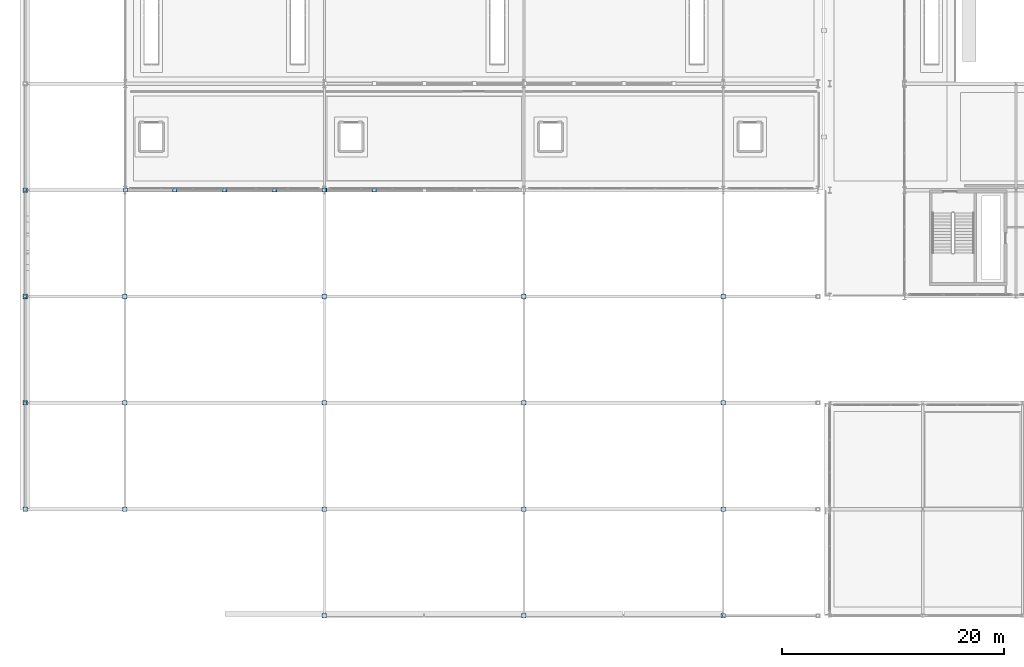
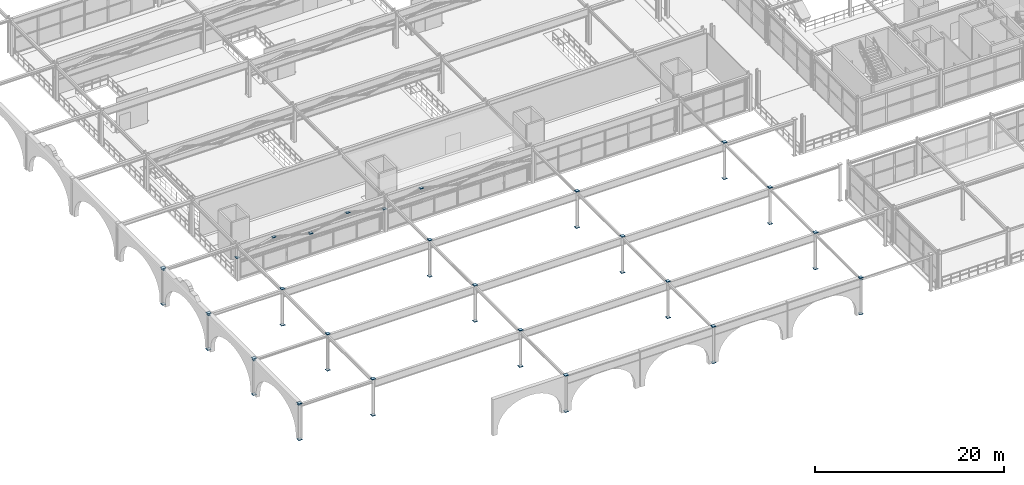
# One storey, part 65 of 125: 57 plates.
"""IFC4 building model written with IfcOpenShell, lengths in metres."""

from ifc_helpers import new_model, si_unit, direction, frame, origin, origin_2d, place, context, subcontext, project, spatial, rectangle, extrude, material, layer, layer_set, type_object, element, save


model = new_model("IFC4")

# Units and contexts
model_context = context("Model", 3, precision=1e-05, world=origin(), true_north=direction((0.0, 1.0)))
body_context = subcontext(model_context, "Body", "Model", "MODEL_VIEW")
ifc_project = project(units=[si_unit("LENGTHUNIT", "METRE"), si_unit("AREAUNIT", "SQUARE_METRE"), si_unit("VOLUMEUNIT", "CUBIC_METRE"), si_unit("PLANEANGLEUNIT", "RADIAN"), si_unit("MASSUNIT", "GRAM", prefix="KILO")], contexts=[model_context])

# Site, building, storey
site_placement = place(None, origin())
site = spatial("IfcSite", under=ifc_project, at=site_placement, CompositionType="ELEMENT")
building_placement = place(site_placement, origin())
building = spatial("IfcBuilding", under=site, at=building_placement, Name="Myrtia Square Station", CompositionType="ELEMENT")
storey_placement = place(building_placement, frame((0.0, 0.0, 6.0)))
storey = spatial("IfcBuildingStorey", under=building, at=storey_placement, Name="L01", CompositionType="ELEMENT", Elevation=6.0)

# Plates
ifc_material = material(Name="Steel S355", Category="steel")
ifc_layer_1 = layer(ifc_material, 0.01611328125, Name="Steel S355")
ifc_layer_set_1 = layer_set([ifc_layer_1], Name="Steel S355")
plate_type_1 = type_object("IfcPlateType", Name="PLT-GUS16", PredefinedType="USERDEFINED", material=ifc_layer_set_1)
for number, where, z_axis, x_axis, name in (
    (1, (63.050048828125, 0.0, 4.39697265625), (0.0, 0.0, 1.0), (1.0, 0.0, 0.0), "Truss node gusset plate SPN-L01-0138-1"),
    (2, (0.0, 9.64990234375, 4.421875), (0.0, 0.0, 1.0), (0.0, 1.0, 0.0), "Truss node gusset plate SPNY-L01-0140-1"),
    (3, (0.0, 19.14990234375, 4.421875), (0.0, 0.0, 1.0), (0.0, 1.0, 0.0), "Truss node gusset plate SPNY-L01-0140-2"),
    (4, (0.0, 19.25, 4.421875), (0.0, 0.0, 1.0), (0.0, 1.0, 0.0), "Truss node gusset plate SPNY-L01-0141-1"),
    (5, (0.0, 28.75, 4.421875), (0.0, 0.0, 1.0), (0.0, 1.0, 0.0), "Truss node gusset plate SPNY-L01-0141-2"),
    (6, (0.0, 28.85009765625, 4.421875), (0.0, 0.0, 1.0), (0.0, 1.0, 0.0), "Truss node gusset plate SPNY-L01-0142-1"),
    (7, (0.0, 38.35009765625, 4.421875), (0.0, 0.0, 1.0), (0.0, 1.0, 0.0), "Truss node gusset plate SPNY-L01-0142-2"),
    (8, (0.0, 38.449951171875, 4.421875), (0.0, 0.0, 1.0), (0.0, 1.0, 0.0), "Truss node gusset plate SPNY-L01-0143-1"),
):
    element("IfcPlate", number, at=place(storey_placement, frame(where, z_axis=z_axis, x_axis=x_axis)), inside=storey, type_object=plate_type_1, Name=name, ObjectType="GUSSET PLATE", PredefinedType="USERDEFINED", context=body_context, shape_type="SweptSolid", body=[
        extrude(rectangle(XDim=0.280029296875, YDim=0.280029296875, at=origin_2d()), origin(), (0.0, 0.0, 1.0), 0.01611328125),
    ])
ifc_layer_2 = layer(ifc_material, 0.02001953125, Name="Steel S355")
ifc_layer_set_2 = layer_set([ifc_layer_2], Name="Steel S355")
plate_type_2 = type_object("IfcPlateType", Name="PLT-GUS20", PredefinedType="USERDEFINED", material=ifc_layer_set_2)
for number, where, z_axis, x_axis, name in (
    (9, (0.0, 9.60009765625, -0.010009765625), (0.0, 0.0, 1.0), (1.0, 0.0, 0.0), "Truss node gusset plate COL-L01-0003-1"),
    (10, (0.0, 9.60009765625, 4.669921875), (0.0, 0.0, 1.0), (1.0, 0.0, 0.0), "Truss node gusset plate COL-L01-0003-2"),
    (11, (0.0, 19.199951171875, -0.010009765625), (0.0, 0.0, 1.0), (1.0, 0.0, 0.0), "Truss node gusset plate COL-L01-0006-1"),
    (12, (0.0, 19.199951171875, 4.669921875), (0.0, 0.0, 1.0), (1.0, 0.0, 0.0), "Truss node gusset plate COL-L01-0006-2"),
    (13, (0.0, 28.800048828125, -0.010009765625), (0.0, 0.0, 1.0), (1.0, 0.0, 0.0), "Truss node gusset plate COL-L01-0009-1"),
    (14, (0.0, 28.800048828125, 4.669921875), (0.0, 0.0, 1.0), (1.0, 0.0, 0.0), "Truss node gusset plate COL-L01-0009-2"),
    (15, (0.0, 38.39990234375, -0.010009765625), (0.0, 0.0, 1.0), (1.0, 0.0, 0.0), "Truss node gusset plate COL-L01-0012-1"),
    (16, (0.0, 38.39990234375, 4.669921875), (0.0, 0.0, 1.0), (1.0, 0.0, 0.0), "Truss node gusset plate COL-L01-0012-2"),
    (17, (9.0, 9.60009765625, -0.010009765625), (0.0, 0.0, 1.0), (1.0, 0.0, 0.0), "Truss node gusset plate COL-L01-0039-1"),
    (18, (9.0, 9.60009765625, 4.669921875), (0.0, 0.0, 1.0), (1.0, 0.0, 0.0), "Truss node gusset plate COL-L01-0039-2"),
    (19, (9.0, 19.199951171875, -0.010009765625), (0.0, 0.0, 1.0), (1.0, 0.0, 0.0), "Truss node gusset plate COL-L01-0042-1"),
    (20, (9.0, 19.199951171875, 4.669921875), (0.0, 0.0, 1.0), (1.0, 0.0, 0.0), "Truss node gusset plate COL-L01-0042-2"),
    (21, (9.0, 28.800048828125, -0.010009765625), (0.0, 0.0, 1.0), (1.0, 0.0, 0.0), "Truss node gusset plate COL-L01-0045-1"),
    (22, (9.0, 28.800048828125, 4.669921875), (0.0, 0.0, 1.0), (1.0, 0.0, 0.0), "Truss node gusset plate COL-L01-0045-2"),
    (23, (27.0, 0.0, -0.010009765625), (0.0, 0.0, 1.0), (1.0, 0.0, 0.0), "Truss node gusset plate COL-L01-0075-1"),
    (24, (27.0, 0.0, 4.669921875), (0.0, 0.0, 1.0), (1.0, 0.0, 0.0), "Truss node gusset plate COL-L01-0075-2"),
    (25, (27.0, 9.60009765625, -0.010009765625), (0.0, 0.0, 1.0), (1.0, 0.0, 0.0), "Truss node gusset plate COL-L01-0078-1"),
    (26, (27.0, 9.60009765625, 4.669921875), (0.0, 0.0, 1.0), (1.0, 0.0, 0.0), "Truss node gusset plate COL-L01-0078-2"),
    (27, (27.0, 19.199951171875, -0.010009765625), (0.0, 0.0, 1.0), (1.0, 0.0, 0.0), "Truss node gusset plate COL-L01-0081-1"),
    (28, (27.0, 19.199951171875, 4.669921875), (0.0, 0.0, 1.0), (1.0, 0.0, 0.0), "Truss node gusset plate COL-L01-0081-2"),
    (29, (27.0, 28.800048828125, -0.010009765625), (0.0, 0.0, 1.0), (1.0, 0.0, 0.0), "Truss node gusset plate COL-L01-0084-1"),
    (30, (27.0, 28.800048828125, 4.669921875), (0.0, 0.0, 1.0), (1.0, 0.0, 0.0), "Truss node gusset plate COL-L01-0084-2"),
    (31, (45.0, 0.0, -0.010009765625), (0.0, 0.0, 1.0), (1.0, 0.0, 0.0), "Truss node gusset plate COL-L01-0117-1"),
    (32, (45.0, 0.0, 4.669921875), (0.0, 0.0, 1.0), (1.0, 0.0, 0.0), "Truss node gusset plate COL-L01-0117-2"),
    (33, (45.0, 9.60009765625, -0.010009765625), (0.0, 0.0, 1.0), (1.0, 0.0, 0.0), "Truss node gusset plate COL-L01-0120-1"),
    (34, (45.0, 9.60009765625, 4.669921875), (0.0, 0.0, 1.0), (1.0, 0.0, 0.0), "Truss node gusset plate COL-L01-0120-2"),
    (35, (45.0, 19.199951171875, -0.010009765625), (0.0, 0.0, 1.0), (1.0, 0.0, 0.0), "Truss node gusset plate COL-L01-0123-1"),
    (36, (45.0, 19.199951171875, 4.669921875), (0.0, 0.0, 1.0), (1.0, 0.0, 0.0), "Truss node gusset plate COL-L01-0123-2"),
    (37, (45.0, 28.800048828125, -0.010009765625), (0.0, 0.0, 1.0), (1.0, 0.0, 0.0), "Truss node gusset plate COL-L01-0126-1"),
    (38, (45.0, 28.800048828125, 4.669921875), (0.0, 0.0, 1.0), (1.0, 0.0, 0.0), "Truss node gusset plate COL-L01-0126-2"),
    (39, (63.0, 0.0, -0.010009765625), (0.0, 0.0, 1.0), (1.0, 0.0, 0.0), "Truss node gusset plate COL-L01-0159-1"),
    (40, (63.0, 0.0, 4.669921875), (0.0, 0.0, 1.0), (1.0, 0.0, 0.0), "Truss node gusset plate COL-L01-0159-2"),
    (41, (63.0, 9.60009765625, -0.010009765625), (0.0, 0.0, 1.0), (1.0, 0.0, 0.0), "Truss node gusset plate COL-L01-0162-1"),
    (42, (63.0, 9.60009765625, 4.669921875), (0.0, 0.0, 1.0), (1.0, 0.0, 0.0), "Truss node gusset plate COL-L01-0162-2"),
    (43, (63.0, 19.199951171875, -0.010009765625), (0.0, 0.0, 1.0), (1.0, 0.0, 0.0), "Truss node gusset plate COL-L01-0165-1"),
    (44, (63.0, 19.199951171875, 4.669921875), (0.0, 0.0, 1.0), (1.0, 0.0, 0.0), "Truss node gusset plate COL-L01-0165-2"),
    (45, (63.0, 28.800048828125, -0.010009765625), (0.0, 0.0, 1.0), (1.0, 0.0, 0.0), "Truss node gusset plate COL-L01-0168-1"),
    (46, (63.0, 28.800048828125, 4.669921875), (0.0, 0.0, 1.0), (1.0, 0.0, 0.0), "Truss node gusset plate COL-L01-0168-2"),
):
    element("IfcPlate", number, at=place(storey_placement, frame(where, z_axis=z_axis, x_axis=x_axis)), inside=storey, type_object=plate_type_2, Name=name, ObjectType="GUSSET PLATE", PredefinedType="USERDEFINED", context=body_context, shape_type="SweptSolid", body=[
        extrude(rectangle(XDim=0.419921875, YDim=0.419921875, at=origin_2d()), origin(), (0.0, 0.0, 1.0), 0.02001953125),
    ])
ifc_layer_3 = layer(ifc_material, 0.02490234375, Name="Steel S355")
ifc_layer_set_3 = layer_set([ifc_layer_3], Name="Steel S355")
plate_type_3 = type_object("IfcPlateType", Name="PLT-GUS25", PredefinedType="USERDEFINED", material=ifc_layer_set_3)
for number, where, z_axis, x_axis, name in (
    (47, (9.0400390625, 38.39990234375, 2.837646484375), (0.0, 0.0, 1.0), (1.0, 0.0, 0.0), "Truss node gusset plate WTR-01-D01-1"),
    (48, (13.4599609375, 38.39990234375, 3.9375), (0.0, 0.0, 1.0), (1.0, 0.0, 0.0), "Truss node gusset plate WTR-01-D01-2"),
    (49, (13.5400390625, 38.39990234375, 3.9375), (0.0, 0.0, 1.0), (1.0, 0.0, 0.0), "Truss node gusset plate WTR-01-D02-1"),
    (50, (17.9599609375, 38.39990234375, 2.837646484375), (0.0, 0.0, 1.0), (1.0, 0.0, 0.0), "Truss node gusset plate WTR-01-D02-2"),
    (51, (18.0400390625, 38.39990234375, 2.837646484375), (0.0, 0.0, 1.0), (1.0, 0.0, 0.0), "Truss node gusset plate WTR-01-D03-1"),
    (52, (22.4599609375, 38.39990234375, 3.9375), (0.0, 0.0, 1.0), (1.0, 0.0, 0.0), "Truss node gusset plate WTR-01-D03-2"),
    (53, (22.5400390625, 38.39990234375, 3.9375), (0.0, 0.0, 1.0), (1.0, 0.0, 0.0), "Truss node gusset plate WTR-01-D04-1"),
    (54, (26.9599609375, 38.39990234375, 2.837646484375), (0.0, 0.0, 1.0), (1.0, 0.0, 0.0), "Truss node gusset plate WTR-01-D04-2"),
    (55, (27.0400390625, 38.39990234375, 2.837646484375), (0.0, 0.0, 1.0), (1.0, 0.0, 0.0), "Truss node gusset plate WTR-01-D05-1"),
    (56, (31.4599609375, 38.39990234375, 3.9375), (0.0, 0.0, 1.0), (1.0, 0.0, 0.0), "Truss node gusset plate WTR-01-D05-2"),
    (57, (31.5400390625, 38.39990234375, 3.9375), (0.0, 0.0, 1.0), (1.0, 0.0, 0.0), "Truss node gusset plate WTR-01-D06-1"),
):
    element("IfcPlate", number, at=place(storey_placement, frame(where, z_axis=z_axis, x_axis=x_axis)), inside=storey, type_object=plate_type_3, Name=name, ObjectType="GUSSET PLATE", PredefinedType="USERDEFINED", context=body_context, shape_type="SweptSolid", body=[
        extrude(rectangle(XDim=0.360107421875, YDim=0.360107421875, at=origin_2d()), origin(), (0.0, 0.0, 1.0), 0.02490234375),
    ])

save(model, "model.ifc")
